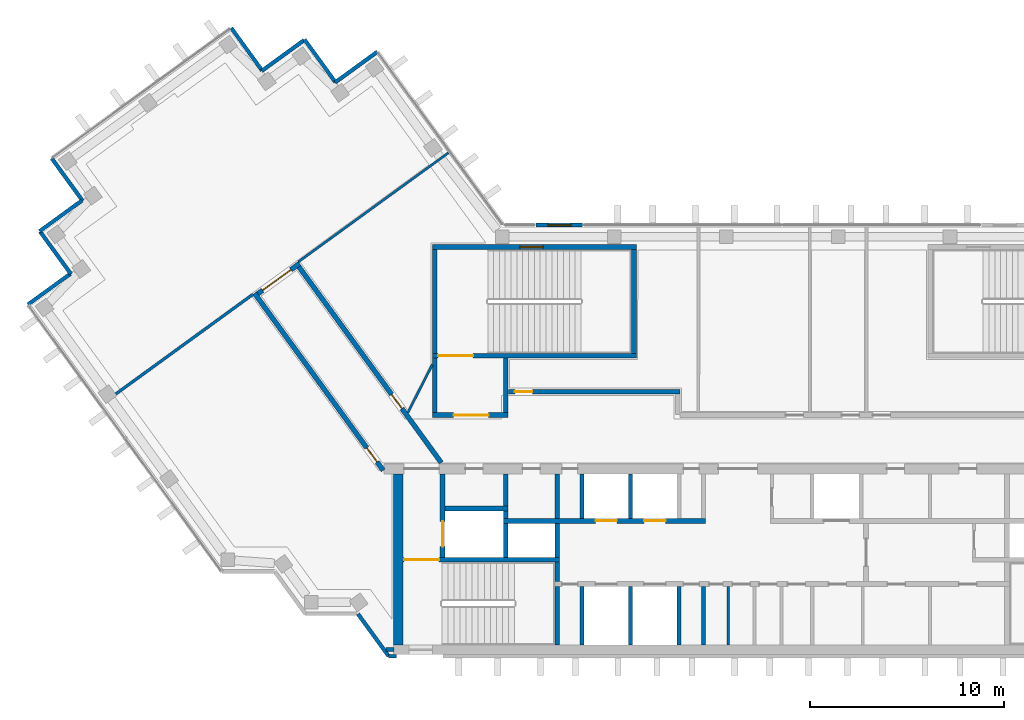
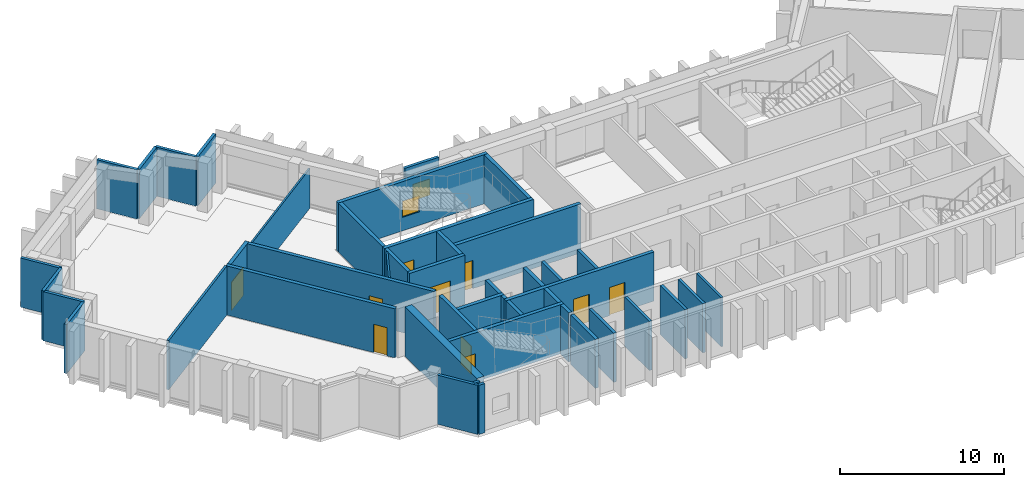
# One storey, part 5 of 10: 45 walls, 10 doors, 2 windows, 12 openings.
"""IFC4 building model written with IfcOpenShell, lengths in metres."""

from ifc_helpers import new_model, si_unit, direction, frame, frame_2d, origin, place, context, subcontext, project, spatial, rectangle, extrude, material, layer, layer_set, type_object, element, fill, save


model = new_model("IFC4")

# Units and contexts
model_context = context("Model", 3, precision=1e-05, world=origin(), true_north=direction((0.0, 1.0)))
body_context = subcontext(model_context, "Body", "Model", "MODEL_VIEW")
ifc_project = project(units=[si_unit("LENGTHUNIT", "METRE"), si_unit("AREAUNIT", "SQUARE_METRE"), si_unit("VOLUMEUNIT", "CUBIC_METRE"), si_unit("PLANEANGLEUNIT", "RADIAN"), si_unit("MASSUNIT", "GRAM", prefix="KILO")], contexts=[model_context])

# Site, building, storey
site_placement = place(None, origin())
site = spatial("IfcSite", under=ifc_project, at=site_placement, CompositionType="ELEMENT")
building_placement = place(site_placement, origin())
building = spatial("IfcBuilding", under=site, at=building_placement, Name="Quipu Civic Tower", CompositionType="ELEMENT")
storey_placement = place(building_placement, frame((0.0, 0.0, 253.0)))
storey = spatial("IfcBuildingStorey", under=building, at=storey_placement, Name="L59", CompositionType="ELEMENT", Elevation=253.0)

# Walls
ifc_material_1 = material(Name="Double gypsum plasterboard with mineral wool")
ifc_layer_1 = layer(ifc_material_1, 0.14990234375)
ifc_layer_set_1 = layer_set([ifc_layer_1], Name="Double gypsum plasterboard with mineral wool")
wall_type_1 = type_object("IfcWallType", Name="Acoustic partition 150 plasterboard", PredefinedType="PARTITIONING", material=ifc_layer_set_1)
wall_1_placement = place(storey_placement, frame((-34.291015625, 2.41015625, 0.0), z_axis=(0.0, 0.0, 1.0), x_axis=(0.809027940177, 0.587770186393, 0.0)))
element("IfcWall", 1, at=wall_1_placement, inside=storey, type_object=wall_type_1, Name="Partition P06", PredefinedType="PARTITIONING", context=body_context, shape_type="SweptSolid", body=[
    extrude(rectangle(XDim=8.71484375, YDim=0.14990234375, at=frame_2d((4.357421875, 0.0))), origin(), (0.0, 0.0, 1.0), 3.64990234375),
])
ifc_material_2 = material(Name="Concrete C70/85", Category="concrete")
ifc_layer_2 = layer(ifc_material_2, 0.25)
ifc_layer_set_2 = layer_set([ifc_layer_2], Name="Concrete C70/85")
wall_type_2 = type_object("IfcWallType", Name="Core wall 250", PredefinedType="SHEAR", material=ifc_layer_set_2)
wall_2_placement = place(storey_placement, frame((-11.574951171875, -10.5, 0.0), z_axis=(0.0, 0.0, 1.0), x_axis=(0.0, 1.0, 0.0)))
element("IfcWall", 2, at=wall_2_placement, inside=storey, type_object=wall_type_2, Name="Core wall", PredefinedType="SHEAR", context=body_context, shape_type="SweptSolid", body=[
    extrude(rectangle(XDim=3.0, YDim=0.25, at=frame_2d((1.5, 0.0))), origin(), (0.0, 0.0, 1.0), 3.64990234375),
])
wall_3_placement = place(storey_placement, frame((-11.574951171875, -7.25, 0.0), z_axis=(0.0, 0.0, 1.0), x_axis=(0.0, 1.0, 0.0)))
element("IfcWall", 3, at=wall_3_placement, inside=storey, type_object=wall_type_2, Name="Core wall", PredefinedType="SHEAR", context=body_context, shape_type="SweptSolid", body=[
    extrude(rectangle(XDim=1.0, YDim=0.25, at=frame_2d((0.5, 0.0))), origin(), (0.0, 0.0, 1.0), 3.64990234375),
])

# Wall, opening, door
wall_4_placement = place(storey_placement, frame((-11.449951171875, -6.125, 0.0), z_axis=(0.0, 0.0, 1.0), x_axis=(-1.0, 0.0, 0.0)))
wall_4 = element("IfcWall", 4, at=wall_4_placement, inside=storey, type_object=wall_type_2, Name="Core wall", PredefinedType="SHEAR", context=body_context, shape_type="SweptSolid", body=[
    extrude(rectangle(XDim=8.050048828125, YDim=0.25, at=frame_2d((4.02490234375, 0.0))), origin(), (0.0, 0.0, 1.0), 3.64990234375),
])
opening_1_placement = place(wall_4_placement, frame((6.199951171875, 0.0, 0.0)))
opening_1 = element("IfcOpeningElement", 5, at=opening_1_placement, cuts=wall_4, Name="Opening CD-10", PredefinedType="OPENING", context=body_context, shape_type="SweptSolid", body=[
    extrude(rectangle(XDim=1.800048828125, YDim=2.10009765625, at=frame_2d((0.89990234375, 1.050048828125))), frame((0.0, 0.135009765625, 0.0), z_axis=(0.0, -1.0, 0.0), x_axis=(1.0, 0.0, 0.0)), (0.0, 0.0, 1.0), 0.27001953125),
])
ifc_material_3 = material(Name="Fire rated steel door", Category="steel")
door_type_1 = type_object("IfcDoorType", Name="Fire door FD90 double 1800 x 2100", OperationType="NOTDEFINED", PredefinedType="DOOR", material=ifc_material_3)
door_1_placement = place(opening_1_placement, origin())
door_1 = element("IfcDoor", 6, at=door_1_placement, inside=storey, type_object=door_type_1, Name="Door", OperationType="DOUBLE_DOOR_SINGLE_SWING", OverallHeight=2.10009765625, OverallWidth=1.800048828125, PredefinedType="DOOR", context=body_context, shape_type="SweptSolid", body=[
    extrude(rectangle(XDim=1.800048828125, YDim=2.10009765625, at=frame_2d((0.89990234375, 1.050048828125))), frame((0.0, 0.02490234375, 0.0), z_axis=(0.0, -1.0, 0.0), x_axis=(1.0, 0.0, 0.0)), (0.0, 0.0, 1.0), 0.050048828125),
])
fill(opening_1, door_1)

wall_5_placement = place(storey_placement, frame((-17.47509765625, -6.0, 0.0), z_axis=(0.0, 0.0, 1.0), x_axis=(0.0, 1.0, 0.0)))
wall_5 = element("IfcWall", 7, at=wall_5_placement, inside=storey, type_object=wall_type_2, Name="Core wall", PredefinedType="SHEAR", context=body_context, shape_type="SweptSolid", body=[
    extrude(rectangle(XDim=4.300048828125, YDim=0.25, at=frame_2d((2.14990234375, 0.0))), origin(), (0.0, 0.0, 1.0), 3.64990234375),
])
opening_2_placement = place(wall_5_placement, frame((0.550048828125, 0.0, 0.0)))
opening_2 = element("IfcOpeningElement", 8, at=opening_2_placement, cuts=wall_5, Name="Opening LD-FF1", PredefinedType="OPENING", context=body_context, shape_type="SweptSolid", body=[
    extrude(rectangle(XDim=1.300048828125, YDim=2.10009765625, at=frame_2d((0.64990234375, 1.050048828125))), frame((0.0, 0.135009765625, 0.0), z_axis=(0.0, -1.0, 0.0), x_axis=(1.0, 0.0, 0.0)), (0.0, 0.0, 1.0), 0.27001953125),
])
ifc_material_4 = material(Name="Stainless steel", Category="steel")
door_type_2 = type_object("IfcDoorType", Name="Lift landing door 1300 x 2100", OperationType="DOUBLE_DOOR_SLIDING", PredefinedType="DOOR", material=ifc_material_4)
door_2_placement = place(opening_2_placement, origin())
door_2 = element("IfcDoor", 9, at=door_2_placement, inside=storey, type_object=door_type_2, Name="Landing door FF1", OperationType="DOUBLE_DOOR_SLIDING", OverallHeight=2.10009765625, OverallWidth=1.300048828125, PredefinedType="DOOR", context=body_context, shape_type="SweptSolid", body=[
    extrude(rectangle(XDim=1.300048828125, YDim=2.10009765625, at=frame_2d((0.64990234375, 1.050048828125))), frame((0.0, 0.02490234375, 0.0), z_axis=(0.0, -1.0, 0.0), x_axis=(1.0, 0.0, 0.0)), (0.0, 0.0, 1.0), 0.050048828125),
])
fill(opening_2, door_2)

# Walls
for number, where, z_axis, x_axis, name in (
    (10, (-14.22509765625, -6.0, 0.0), (0.0, 0.0, 1.0), (0.0, 1.0, 0.0), "Core wall"),
    (11, (-11.574951171875, -6.0, 0.0), (0.0, 0.0, 1.0), (0.0, 1.0, 0.0), "Core wall"),
):
    element("IfcWall", number, at=place(storey_placement, frame(where, z_axis=z_axis, x_axis=x_axis)), inside=storey, type_object=wall_type_2, Name=name, PredefinedType="SHEAR", context=body_context, shape_type="SweptSolid", body=[
        extrude(rectangle(XDim=1.75, YDim=0.25, at=frame_2d((0.875, 0.0))), origin(), (0.0, 0.0, 1.0), 3.64990234375),
    ])

# Wall, openings, doors
wall_6_placement = place(storey_placement, frame((-14.35009765625, -4.125, 0.0), z_axis=(0.0, 0.0, 1.0), x_axis=(1.0, 0.0, 0.0)))
wall_6 = element("IfcWall", 12, at=wall_6_placement, inside=storey, type_object=wall_type_2, Name="Core wall", PredefinedType="SHEAR", context=body_context, shape_type="SweptSolid", body=[
    extrude(rectangle(XDim=10.400146484375, YDim=0.25, at=frame_2d((5.2001953125, 0.0))), origin(), (0.0, 0.0, 1.0), 3.64990234375),
])
opening_3_placement = place(wall_6_placement, frame((4.75, 0.0, 0.0)))
opening_3 = element("IfcOpeningElement", 13, at=opening_3_placement, cuts=wall_6, Name="Opening LD-HL3", PredefinedType="OPENING", context=body_context, shape_type="SweptSolid", body=[
    extrude(rectangle(XDim=1.10009765625, YDim=2.10009765625, at=frame_2d((0.550048828125, 1.050048828125))), frame((0.0, 0.135009765625, 0.0), z_axis=(0.0, -1.0, 0.0), x_axis=(1.0, 0.0, 0.0)), (0.0, 0.0, 1.0), 0.27001953125),
])
opening_4_placement = place(wall_6_placement, frame((7.25, 0.0, 0.0)))
opening_4 = element("IfcOpeningElement", 14, at=opening_4_placement, cuts=wall_6, Name="Opening LD-HL4", PredefinedType="OPENING", context=body_context, shape_type="SweptSolid", body=[
    extrude(rectangle(XDim=1.10009765625, YDim=2.10009765625, at=frame_2d((0.550048828125, 1.050048828125))), frame((0.0, 0.135009765625, 0.0), z_axis=(0.0, -1.0, 0.0), x_axis=(1.0, 0.0, 0.0)), (0.0, 0.0, 1.0), 0.27001953125),
])
ifc_material_5 = material(Name="Stainless steel", Category="steel")
door_type_3 = type_object("IfcDoorType", Name="Lift landing door 1100 x 2100", OperationType="DOUBLE_DOOR_SLIDING", PredefinedType="DOOR", material=ifc_material_5)
door_3_placement = place(opening_3_placement, origin())
door_3 = element("IfcDoor", 15, at=door_3_placement, inside=storey, type_object=door_type_3, Name="Landing door HL3", OperationType="DOUBLE_DOOR_SLIDING", OverallHeight=2.10009765625, OverallWidth=1.10009765625, PredefinedType="DOOR", context=body_context, shape_type="SweptSolid", body=[
    extrude(rectangle(XDim=1.10009765625, YDim=2.10009765625, at=frame_2d((0.550048828125, 1.050048828125))), frame((0.0, 0.02490234375, 0.0), z_axis=(0.0, -1.0, 0.0), x_axis=(1.0, 0.0, 0.0)), (0.0, 0.0, 1.0), 0.050048828125),
])
fill(opening_3, door_3)
door_4_placement = place(opening_4_placement, origin())
door_4 = element("IfcDoor", 16, at=door_4_placement, inside=storey, type_object=door_type_3, Name="Landing door HL4", OperationType="DOUBLE_DOOR_SLIDING", OverallHeight=2.10009765625, OverallWidth=1.10009765625, PredefinedType="DOOR", context=body_context, shape_type="SweptSolid", body=[
    extrude(rectangle(XDim=1.10009765625, YDim=2.10009765625, at=frame_2d((0.550048828125, 1.050048828125))), frame((0.0, 0.02490234375, 0.0), z_axis=(0.0, -1.0, 0.0), x_axis=(1.0, 0.0, 0.0)), (0.0, 0.0, 1.0), 0.050048828125),
])
fill(opening_4, door_4)

# Walls
wall_7_placement = place(storey_placement, frame((-14.22509765625, -4.0, 0.0), z_axis=(0.0, 0.0, 1.0), x_axis=(0.0, 1.0, 0.0)))
element("IfcWall", 17, at=wall_7_placement, inside=storey, type_object=wall_type_2, Name="Core wall", PredefinedType="SHEAR", context=body_context, shape_type="SweptSolid", body=[
    extrude(rectangle(XDim=0.39990234375, YDim=0.25, at=frame_2d((0.199951171875, 0.0))), origin(), (0.0, 0.0, 1.0), 3.64990234375),
])
wall_8_placement = place(storey_placement, frame((-11.574951171875, -4.0, 0.0), z_axis=(0.0, 0.0, 1.0), x_axis=(0.0, 1.0, 0.0)))
element("IfcWall", 18, at=wall_8_placement, inside=storey, type_object=wall_type_2, Name="Core wall", PredefinedType="SHEAR", context=body_context, shape_type="SweptSolid", body=[
    extrude(rectangle(XDim=2.300048828125, YDim=0.25, at=frame_2d((1.14990234375, 0.0))), origin(), (0.0, 0.0, 1.0), 3.64990234375),
])
wall_9_placement = place(storey_placement, frame((-17.35009765625, -3.47509765625, 0.0), z_axis=(0.0, 0.0, 1.0), x_axis=(1.0, 0.0, 0.0)))
element("IfcWall", 19, at=wall_9_placement, inside=storey, type_object=wall_type_2, Name="Core wall", PredefinedType="SHEAR", context=body_context, shape_type="SweptSolid", body=[
    extrude(rectangle(XDim=3.25, YDim=0.25, at=frame_2d((1.625, 0.0))), origin(), (0.0, 0.0, 1.0), 3.64990234375),
])
wall_10_placement = place(storey_placement, frame((-14.22509765625, -3.35009765625, 0.0), z_axis=(0.0, 0.0, 1.0), x_axis=(0.0, 1.0, 0.0)))
element("IfcWall", 20, at=wall_10_placement, inside=storey, type_object=wall_type_2, Name="Core wall", PredefinedType="SHEAR", context=body_context, shape_type="SweptSolid", body=[
    extrude(rectangle(XDim=1.650146484375, YDim=0.25, at=frame_2d((0.8251953125, 0.0))), origin(), (0.0, 0.0, 1.0), 3.64990234375),
])

# Wall, opening, door
wall_11_placement = place(storey_placement, frame((-18.0, 1.324951171875, 0.0), z_axis=(0.0, 0.0, 1.0), x_axis=(1.0, 0.0, 0.0)))
wall_11 = element("IfcWall", 21, at=wall_11_placement, inside=storey, type_object=wall_type_2, Name="Core wall", PredefinedType="SHEAR", context=body_context, shape_type="SweptSolid", body=[
    extrude(rectangle(XDim=3.89990234375, YDim=0.25, at=frame_2d((1.949951171875, 0.0))), origin(), (0.0, 0.0, 1.0), 3.64990234375),
])
opening_5_placement = place(wall_11_placement, frame((1.10009765625, 0.0, 0.0)))
opening_5 = element("IfcOpeningElement", 22, at=opening_5_placement, cuts=wall_11, Name="Opening CD-27", PredefinedType="OPENING", context=body_context, shape_type="SweptSolid", body=[
    extrude(rectangle(XDim=1.800048828125, YDim=2.10009765625, at=frame_2d((0.89990234375, 1.050048828125))), frame((0.0, 0.135009765625, 0.0), z_axis=(0.0, -1.0, 0.0), x_axis=(1.0, 0.0, 0.0)), (0.0, 0.0, 1.0), 0.27001953125),
])
door_5_placement = place(opening_5_placement, origin())
door_5 = element("IfcDoor", 23, at=door_5_placement, inside=storey, type_object=door_type_1, Name="Lobby door", OperationType="DOUBLE_DOOR_SINGLE_SWING", OverallHeight=2.10009765625, OverallWidth=1.800048828125, PredefinedType="DOOR", context=body_context, shape_type="SweptSolid", body=[
    extrude(rectangle(XDim=1.800048828125, YDim=2.10009765625, at=frame_2d((0.89990234375, 1.050048828125))), frame((0.0, 0.02490234375, 0.0), z_axis=(0.0, -1.0, 0.0), x_axis=(1.0, 0.0, 0.0)), (0.0, 0.0, 1.0), 0.050048828125),
])
fill(opening_5, door_5)

# Walls
for number, where, z_axis, x_axis, name in (
    (24, (-17.875, 1.449951171875, 0.0), (0.0, 0.0, 1.0), (0.0, 1.0, 0.0), "Core wall"),
    (25, (-14.22509765625, 1.449951171875, 0.0), (0.0, 0.0, 1.0), (0.0, 1.0, 0.0), "Core wall"),
):
    element("IfcWall", number, at=place(storey_placement, frame(where, z_axis=z_axis, x_axis=x_axis)), inside=storey, type_object=wall_type_2, Name=name, PredefinedType="SHEAR", context=body_context, shape_type="SweptSolid", body=[
        extrude(rectangle(XDim=2.800048828125, YDim=0.25, at=frame_2d((1.39990234375, 0.0))), origin(), (0.0, 0.0, 1.0), 3.64990234375),
    ])

# Wall, opening, door
wall_12_placement = place(storey_placement, frame((-18.0, 4.375, 0.0), z_axis=(0.0, 0.0, 1.0), x_axis=(1.0, 0.0, 0.0)))
wall_12 = element("IfcWall", 26, at=wall_12_placement, inside=storey, type_object=wall_type_2, Name="Core wall", PredefinedType="SHEAR", context=body_context, shape_type="SweptSolid", body=[
    extrude(rectangle(XDim=10.5, YDim=0.25, at=frame_2d((5.25, 0.0))), origin(), (0.0, 0.0, 1.0), 3.64990234375),
])
opening_6_placement = place(wall_12_placement, frame((0.300048828125, 0.0, 0.0)))
opening_6 = element("IfcOpeningElement", 27, at=opening_6_placement, cuts=wall_12, Name="Opening CD-28", PredefinedType="OPENING", context=body_context, shape_type="SweptSolid", body=[
    extrude(rectangle(XDim=1.800048828125, YDim=2.10009765625, at=frame_2d((0.89990234375, 1.050048828125))), frame((0.0, 0.135009765625, 0.0), z_axis=(0.0, -1.0, 0.0), x_axis=(1.0, 0.0, 0.0)), (0.0, 0.0, 1.0), 0.27001953125),
])
door_6_placement = place(opening_6_placement, origin())
door_6 = element("IfcDoor", 28, at=door_6_placement, inside=storey, type_object=door_type_1, Name="Door", OperationType="DOUBLE_DOOR_SINGLE_SWING", OverallHeight=2.10009765625, OverallWidth=1.800048828125, PredefinedType="DOOR", context=body_context, shape_type="SweptSolid", body=[
    extrude(rectangle(XDim=1.800048828125, YDim=2.10009765625, at=frame_2d((0.89990234375, 1.050048828125))), frame((0.0, 0.02490234375, 0.0), z_axis=(0.0, -1.0, 0.0), x_axis=(1.0, 0.0, 0.0)), (0.0, 0.0, 1.0), 0.050048828125),
])
fill(opening_6, door_6)

# Walls
for number, where, z_axis, x_axis, name in (
    (29, (-17.875, 4.5, 0.0), (0.0, 0.0, 1.0), (0.0, 1.0, 0.0), "Core wall"),
    (30, (-7.625, 4.5, 0.0), (0.0, 0.0, 1.0), (0.0, 1.0, 0.0), "Core wall"),
):
    element("IfcWall", number, at=place(storey_placement, frame(where, z_axis=z_axis, x_axis=x_axis)), inside=storey, type_object=wall_type_2, Name=name, PredefinedType="SHEAR", context=body_context, shape_type="SweptSolid", body=[
        extrude(rectangle(XDim=5.35009765625, YDim=0.25, at=frame_2d((2.675048828125, 0.0))), origin(), (0.0, 0.0, 1.0), 3.64990234375),
    ])

# Wall, opening, window
wall_13_placement = place(storey_placement, frame((-18.0, 9.97509765625, 0.0), z_axis=(0.0, 0.0, 1.0), x_axis=(1.0, 0.0, 0.0)))
wall_13 = element("IfcWall", 31, at=wall_13_placement, inside=storey, type_object=wall_type_2, Name="Core wall", PredefinedType="SHEAR", context=body_context, shape_type="SweptSolid", body=[
    extrude(rectangle(XDim=10.5, YDim=0.25, at=frame_2d((5.25, 0.0))), origin(), (0.0, 0.0, 1.0), 3.64990234375),
])
opening_7_placement = place(wall_13_placement, frame((4.5, 0.0, 1.0)))
opening_7 = element("IfcOpeningElement", 32, at=opening_7_placement, cuts=wall_13, Name="Opening SV-3", PredefinedType="OPENING", context=body_context, shape_type="SweptSolid", body=[
    extrude(rectangle(XDim=1.199951171875, YDim=1.199951171875, at=frame_2d((0.60009765625, 0.60009765625))), frame((0.0, 0.135009765625, 0.0), z_axis=(0.0, -1.0, 0.0), x_axis=(1.0, 0.0, 0.0)), (0.0, 0.0, 1.0), 0.27001953125),
])
ifc_material_6 = material(Name="Aluminium louvre", Category="aluminium")
window_type_1 = type_object("IfcWindowType", Name="Stair ventilation louvre 1200 x 1200", PartitioningType="SINGLE_PANEL", PredefinedType="WINDOW", material=ifc_material_6)
window_1_placement = place(opening_7_placement, origin())
window_1 = element("IfcWindow", 33, at=window_1_placement, inside=storey, type_object=window_type_1, Name="Stair ventilation opening", OverallHeight=1.199951171875, OverallWidth=1.199951171875, PartitioningType="SINGLE_PANEL", PredefinedType="WINDOW", context=body_context, shape_type="SweptSolid", body=[
    extrude(rectangle(XDim=1.199951171875, YDim=1.199951171875, at=frame_2d((0.60009765625, 0.60009765625))), frame((0.0, 0.030029296875, 0.0), z_axis=(0.0, -1.0, 0.0), x_axis=(1.0, 0.0, 0.0)), (0.0, 0.0, 1.0), 0.06005859375),
])
fill(opening_7, window_1)

# Wall
ifc_material_7 = material(Name="Concrete C70/85", Category="concrete")
ifc_layer_3 = layer(ifc_material_7, 0.5)
ifc_layer_set_3 = layer_set([ifc_layer_3], Name="Concrete C70/85")
wall_type_3 = type_object("IfcWallType", Name="Core wall 500", PredefinedType="SHEAR", material=ifc_layer_set_3)
wall_14_placement = place(storey_placement, frame((-19.75, -10.5, 0.0), z_axis=(0.0, 0.0, 1.0), x_axis=(0.0, 1.0, 0.0)))
element("IfcWall", 34, at=wall_14_placement, inside=storey, type_object=wall_type_3, Name="Core wall", PredefinedType="SHEAR", context=body_context, shape_type="SweptSolid", body=[
    extrude(rectangle(XDim=8.800048828125, YDim=0.5, at=frame_2d((4.39990234375, 0.0))), origin(), (0.0, 0.0, 1.0), 3.64990234375),
])

# Wall, opening, door
ifc_material_8 = material(Name="Concrete C50/60", Category="concrete")
ifc_layer_4 = layer(ifc_material_8, 0.25)
ifc_layer_set_4 = layer_set([ifc_layer_4], Name="Concrete C50/60")
wall_type_4 = type_object("IfcWallType", Name="Corridor wall 250 concrete", PredefinedType="SOLIDWALL", material=ifc_layer_set_4)
wall_15_placement = place(storey_placement, frame((-20.531005859375, -1.5234375, 0.0), z_axis=(0.0, 0.0, 1.0), x_axis=(-0.587782646447, 0.809018887626, 0.0)))
wall_15 = element("IfcWall", 35, at=wall_15_placement, inside=storey, type_object=wall_type_4, Name="Corridor wall C04", PredefinedType="SOLIDWALL", context=body_context, shape_type="SweptSolid", body=[
    extrude(rectangle(XDim=11.270263671875, YDim=0.25, at=frame_2d((5.63525390625, 0.0))), origin(), (0.0, 0.0, 1.0), 3.64990234375),
])
opening_8_placement = place(wall_15_placement, frame((0.53271484375, 0.0, 0.0)))
opening_8 = element("IfcOpeningElement", 36, at=opening_8_placement, cuts=wall_15, Name="Opening D009", PredefinedType="OPENING", context=body_context, shape_type="SweptSolid", body=[
    extrude(rectangle(XDim=0.89990234375, YDim=2.10009765625, at=frame_2d((0.449951171875, 1.050048828125))), frame((0.0, 0.135009765625, 0.0), z_axis=(0.0, -1.0, 0.0), x_axis=(1.0, 0.0, 0.0)), (0.0, 0.0, 1.0), 0.27001953125),
])
ifc_material_9 = material(Name="Fire rated timber door set with metal frame", Category="wood")
door_type_4 = type_object("IfcDoorType", Name="Single door 900 x 2100 FD60", OperationType="NOTDEFINED", PredefinedType="DOOR", material=ifc_material_9)
door_7_placement = place(opening_8_placement, origin())
door_7 = element("IfcDoor", 37, at=door_7_placement, inside=storey, type_object=door_type_4, Name="Door D009", OperationType="SINGLE_SWING_LEFT", OverallHeight=2.10009765625, OverallWidth=0.89990234375, PredefinedType="DOOR", context=body_context, shape_type="SweptSolid", body=[
    extrude(rectangle(XDim=0.89990234375, YDim=2.10009765625, at=frame_2d((0.449951171875, 1.050048828125))), frame((0.0, 0.02490234375, 0.0), z_axis=(0.0, -1.0, 0.0), x_axis=(1.0, 0.0, 0.0)), (0.0, 0.0, 1.0), 0.050048828125),
])
fill(opening_8, door_7)

wall_16_placement = place(storey_placement, frame((-26.98095703125, 7.56689453125, 0.0), z_axis=(0.0, 0.0, 1.0), x_axis=(0.809038743598, 0.587755315891, 0.0)))
wall_16 = element("IfcWall", 38, at=wall_16_placement, inside=storey, type_object=wall_type_4, Name="Corridor wall C05", PredefinedType="SOLIDWALL", context=body_context, shape_type="SweptSolid", body=[
    extrude(rectangle(XDim=2.650146484375, YDim=0.25, at=frame_2d((1.3251953125, 0.0))), origin(), (0.0, 0.0, 1.0), 3.64990234375),
])
opening_9_placement = place(wall_16_placement, frame((0.299560546875, 0.0, 0.0)))
opening_9 = element("IfcOpeningElement", 39, at=opening_9_placement, cuts=wall_16, Name="Opening D010", PredefinedType="OPENING", context=body_context, shape_type="SweptSolid", body=[
    extrude(rectangle(XDim=1.800048828125, YDim=2.10009765625, at=frame_2d((0.89990234375, 1.050048828125))), frame((0.0, 0.135009765625, 0.0), z_axis=(0.0, -1.0, 0.0), x_axis=(1.0, 0.0, 0.0)), (0.0, 0.0, 1.0), 0.27001953125),
])
ifc_material_10 = material(Name="Fire rated timber door set with metal frame", Category="wood")
door_type_5 = type_object("IfcDoorType", Name="Double door 1800 x 2100 FD60", OperationType="DOUBLE_DOOR_SINGLE_SWING", PredefinedType="DOOR", material=ifc_material_10)
door_8_placement = place(opening_9_placement, origin())
door_8 = element("IfcDoor", 40, at=door_8_placement, inside=storey, type_object=door_type_5, Name="Door D010", OperationType="DOUBLE_DOOR_SINGLE_SWING", OverallHeight=2.10009765625, OverallWidth=1.800048828125, PredefinedType="DOOR", context=body_context, shape_type="SweptSolid", body=[
    extrude(rectangle(XDim=1.800048828125, YDim=2.10009765625, at=frame_2d((0.89990234375, 1.050048828125))), frame((0.0, 0.02490234375, 0.0), z_axis=(0.0, -1.0, 0.0), x_axis=(1.0, 0.0, 0.0)), (0.0, 0.0, 1.0), 0.050048828125),
])
fill(opening_9, door_8)

wall_17_placement = place(storey_placement, frame((-24.86474609375, 8.949951171875, 0.0), z_axis=(0.0, 0.0, 1.0), x_axis=(0.587791617212, -0.809012369952, 0.0)))
wall_17 = element("IfcWall", 41, at=wall_17_placement, inside=storey, type_object=wall_type_4, Name="Corridor wall C06", PredefinedType="SOLIDWALL", context=body_context, shape_type="SweptSolid", body=[
    extrude(rectangle(XDim=12.453125, YDim=0.25, at=frame_2d((6.2265625, 0.0))), origin(), (0.0, 0.0, 1.0), 3.64990234375),
])
opening_10_placement = place(wall_17_placement, frame((8.111572265625, 0.0, 0.0)))
opening_10 = element("IfcOpeningElement", 42, at=opening_10_placement, cuts=wall_17, Name="Opening D008", PredefinedType="OPENING", context=body_context, shape_type="SweptSolid", body=[
    extrude(rectangle(XDim=0.89990234375, YDim=2.10009765625, at=frame_2d((0.449951171875, 1.050048828125))), frame((0.0, 0.135009765625, 0.0), z_axis=(0.0, -1.0, 0.0), x_axis=(1.0, 0.0, 0.0)), (0.0, 0.0, 1.0), 0.27001953125),
])
door_9_placement = place(opening_10_placement, origin())
door_9 = element("IfcDoor", 43, at=door_9_placement, inside=storey, type_object=door_type_4, Name="Door D008", OperationType="SINGLE_SWING_RIGHT", OverallHeight=2.10009765625, OverallWidth=0.89990234375, PredefinedType="DOOR", context=body_context, shape_type="SweptSolid", body=[
    extrude(rectangle(XDim=0.89990234375, YDim=2.10009765625, at=frame_2d((0.449951171875, 1.050048828125))), frame((0.0, 0.02490234375, 0.0), z_axis=(0.0, -1.0, 0.0), x_axis=(1.0, 0.0, 0.0)), (0.0, 0.0, 1.0), 0.050048828125),
])
fill(opening_10, door_9)

wall_18_placement = place(storey_placement, frame((-14.090087890625, 2.52490234375, 0.0), z_axis=(0.0, 0.0, 1.0), x_axis=(1.0, 0.0, 0.0)))
wall_18 = element("IfcWall", 44, at=wall_18_placement, inside=storey, type_object=wall_type_4, Name="Corridor wall C07", PredefinedType="SOLIDWALL", context=body_context, shape_type="SweptSolid", body=[
    extrude(rectangle(XDim=8.840087890625, YDim=0.25, at=frame_2d((4.419921875, 0.0))), origin(), (0.0, 0.0, 1.0), 3.64990234375),
])
opening_11_placement = place(wall_18_placement, frame((0.340087890625, 0.0, 0.0)))
opening_11 = element("IfcOpeningElement", 45, at=opening_11_placement, cuts=wall_18, Name="Opening D004", PredefinedType="OPENING", context=body_context, shape_type="SweptSolid", body=[
    extrude(rectangle(XDim=0.89990234375, YDim=2.10009765625, at=frame_2d((0.449951171875, 1.050048828125))), frame((0.0, 0.135009765625, 0.0), z_axis=(0.0, -1.0, 0.0), x_axis=(1.0, 0.0, 0.0)), (0.0, 0.0, 1.0), 0.27001953125),
])
door_10_placement = place(opening_11_placement, origin())
door_10 = element("IfcDoor", 46, at=door_10_placement, inside=storey, type_object=door_type_4, Name="Door D004", OperationType="SINGLE_SWING_LEFT", OverallHeight=2.10009765625, OverallWidth=0.89990234375, PredefinedType="DOOR", context=body_context, shape_type="SweptSolid", body=[
    extrude(rectangle(XDim=0.89990234375, YDim=2.10009765625, at=frame_2d((0.449951171875, 1.050048828125))), frame((0.0, 0.02490234375, 0.0), z_axis=(0.0, -1.0, 0.0), x_axis=(1.0, 0.0, 0.0)), (0.0, 0.0, 1.0), 0.050048828125),
])
fill(opening_11, door_10)

# Walls
ifc_material_11 = material(Name="Gypsum plasterboard on light gauge framing")
ifc_layer_5 = layer(ifc_material_11, 0.1201171875)
ifc_layer_set_5 = layer_set([ifc_layer_5], Name="Gypsum plasterboard on light gauge framing")
wall_type_5 = type_object("IfcWallType", Name="Partition 120 plasterboard", PredefinedType="PARTITIONING", material=ifc_layer_set_5)
wall_19_placement = place(storey_placement, frame((-17.17236328125, 14.822509765625, 0.0), z_axis=(0.0, 0.0, 1.0), x_axis=(-0.809013490065, -0.587790075531, 0.0)))
element("IfcWall", 47, at=wall_19_placement, inside=storey, type_object=wall_type_5, Name="Partition P02", PredefinedType="PARTITIONING", context=body_context, shape_type="SweptSolid", body=[
    extrude(rectangle(XDim=9.54931640625, YDim=0.1201171875, at=frame_2d((4.774658203125, 0.0))), origin(), (0.0, 0.0, 1.0), 2.949951171875),
])
wall_20_placement = place(storey_placement, frame((-19.260986328125, 1.449951171875, 0.0), z_axis=(0.0, 0.0, 1.0), x_axis=(0.453950796792, 0.891026752736, 0.0)))
element("IfcWall", 48, at=wall_20_placement, inside=storey, type_object=wall_type_5, Name="Partition P09", PredefinedType="PARTITIONING", context=body_context, shape_type="SweptSolid", body=[
    extrude(rectangle(XDim=2.77783203125, YDim=0.1201171875, at=frame_2d((1.388916015625, 0.0))), origin(), (0.0, 0.0, 1.0), 3.64990234375),
])
ifc_material_12 = material(Name="Gypsum board partition")
ifc_layer_6 = layer(ifc_material_12, 0.14990234375)
ifc_layer_set_6 = layer_set([ifc_layer_6], Name="Gypsum board partition")
wall_type_6 = type_object("IfcWallType", Name="Partition 150", PredefinedType="PARTITIONING", material=ifc_layer_set_6)
wall_21_placement = place(storey_placement, frame((-2.77490234375, -10.5, 0.0), z_axis=(0.0, 0.0, 1.0), x_axis=(0.0, 1.0, 0.0)))
element("IfcWall", 49, at=wall_21_placement, inside=storey, type_object=wall_type_6, Name="Partition", PredefinedType="PARTITIONING", context=body_context, shape_type="SweptSolid", body=[
    extrude(rectangle(XDim=3.0, YDim=0.14990234375, at=frame_2d((1.5, 0.0))), origin(), (0.0, 0.0, 1.0), 3.64990234375),
])
ifc_material_13 = material(Name="Precast concrete C40/50", Category="concrete")
wall_type_7 = type_object("IfcWallType", Name="Precast cladding wall", PredefinedType="SOLIDWALL", material=ifc_material_13)
for number, where, z_axis, x_axis, name in (
    (50, (-36.031982421875, 12.36865234375, 0.0), (0.0, 0.0, 1.0), (-0.809033161865, -0.587762999008, 0.0), "Precast cladding wall L59 1"),
    (51, (-38.189208984375, 10.7646484375, 0.0), (0.0, 0.0, 1.0), (0.587822180636, -0.808990163075, 0.0), "Precast cladding wall L59 2"),
    (52, (-36.62939453125, 8.597412109375, 0.0), (0.0, 0.0, 1.0), (-0.809033161865, -0.587762999008, 0.0), "Precast cladding wall L59 3"),
):
    element("IfcWall", number, at=place(storey_placement, frame(where, z_axis=z_axis, x_axis=x_axis)), inside=storey, type_object=wall_type_7, Name=name, PredefinedType="SOLIDWALL", context=body_context, shape_type="SweptSolid", body=[
        extrude(rectangle(XDim=2.699951171875, YDim=0.199951171875, at=frame_2d((1.35009765625, 0.0))), origin(), (0.0, 0.0, 1.0), 3.64990234375),
    ])
wall_22_placement = place(storey_placement, frame((-21.8330078125, -8.90869140625, 0.0), z_axis=(0.0, 0.0, 1.0), x_axis=(0.587766567315, -0.809030569476, 0.0)))
element("IfcWall", 53, at=wall_22_placement, inside=storey, type_object=wall_type_7, Name="Precast cladding wall L59 5", PredefinedType="SOLIDWALL", context=body_context, shape_type="SweptSolid", body=[
    extrude(rectangle(XDim=2.687744140625, YDim=0.199951171875, at=frame_2d((1.34375, 0.0))), origin(), (0.0, 0.0, 1.0), 3.64990234375),
])
wall_23_placement = place(storey_placement, frame((-20.255859375, -11.087890625, 0.0), z_axis=(0.0, 0.0, 1.0), x_axis=(1.0, 0.0, 0.0)))
element("IfcWall", 54, at=wall_23_placement, inside=storey, type_object=wall_type_7, Name="Precast cladding wall L59 6", PredefinedType="SOLIDWALL", context=body_context, shape_type="SweptSolid", body=[
    extrude(rectangle(XDim=0.40576171875, YDim=0.199951171875, at=frame_2d((0.202880859375, 0.0))), origin(), (0.0, 0.0, 1.0), 3.64990234375),
])

# Wall, opening, window
wall_24_placement = place(storey_placement, frame((-10.263427734375, 11.10009765625, 0.0), z_axis=(0.0, 0.0, 1.0), x_axis=(-1.0, 0.0, 0.0)))
wall_24 = element("IfcWall", 55, at=wall_24_placement, inside=storey, type_object=wall_type_7, Name="Vent surround SF-L59-1", PredefinedType="SOLIDWALL", context=body_context, shape_type="SweptSolid", body=[
    extrude(rectangle(XDim=2.3916015625, YDim=0.199951171875, at=frame_2d((1.19580078125, 0.0))), origin(), (0.0, 0.0, 1.0), 3.64990234375),
])
opening_12_placement = place(wall_24_placement, frame((0.595703125, 0.0, 1.0)))
opening_12 = element("IfcOpeningElement", 56, at=opening_12_placement, cuts=wall_24, Name="Opening SF-L59-1", PredefinedType="OPENING", context=body_context, shape_type="SweptSolid", body=[
    extrude(rectangle(XDim=1.199951171875, YDim=1.199951171875, at=frame_2d((0.60009765625, 0.60009765625))), frame((0.0, 0.10986328125, 0.0), z_axis=(0.0, -1.0, 0.0), x_axis=(1.0, 0.0, 0.0)), (0.0, 0.0, 1.0), 0.219970703125),
])
ifc_material_14 = material(Name="Anodised aluminium louvre", Category="aluminium")
window_type_2 = type_object("IfcWindowType", Name="Stair vent louvre window P3", PartitioningType="SINGLE_PANEL", PredefinedType="WINDOW", material=ifc_material_14)
window_2_placement = place(opening_12_placement, origin())
window_2 = element("IfcWindow", 57, at=window_2_placement, inside=storey, type_object=window_type_2, Name="Stair vent louvre SF-L59-1", OverallHeight=1.199951171875, OverallWidth=1.199951171875, PartitioningType="SINGLE_PANEL", PredefinedType="WINDOW", context=body_context, shape_type="SweptSolid", body=[
    extrude(rectangle(XDim=1.199951171875, YDim=1.199951171875, at=frame_2d((0.60009765625, 0.60009765625))), frame((0.0, 0.030029296875, 0.0), z_axis=(0.0, -1.0, 0.0), x_axis=(1.0, 0.0, 0.0)), (0.0, 0.0, 1.0), 0.06005859375),
])
fill(opening_12, window_2)

# Walls
for number, where, z_axis, x_axis, name in (
    (58, (-20.828857421875, 20.025390625, 0.0), (0.0, 0.0, 1.0), (-0.808990163075, -0.587822180636, 0.0), "Precast cladding wall L59 30"),
    (59, (-22.996337890625, 18.465576171875, 0.0), (0.0, 0.0, 1.0), (-0.587762999008, 0.809033161865, 0.0), "Precast cladding wall L59 31"),
):
    element("IfcWall", number, at=place(storey_placement, frame(where, z_axis=z_axis, x_axis=x_axis)), inside=storey, type_object=wall_type_7, Name=name, PredefinedType="SOLIDWALL", context=body_context, shape_type="SweptSolid", body=[
        extrude(rectangle(XDim=2.699951171875, YDim=0.199951171875, at=frame_2d((1.35009765625, 0.0))), origin(), (0.0, 0.0, 1.0), 3.64990234375),
    ])
for number, where, z_axis, x_axis, name in (
    (60, (-24.60009765625, 20.62255859375, 0.0), (0.0, 0.0, 1.0), (-0.809064397168, -0.587720002413, 0.0), "Precast cladding wall L59 32"),
    (61, (-26.767578125, 19.062744140625, 0.0), (0.0, 0.0, 1.0), (-0.587720002413, 0.809064397168, 0.0), "Precast cladding wall L59 33"),
):
    element("IfcWall", number, at=place(storey_placement, frame(where, z_axis=z_axis, x_axis=x_axis)), inside=storey, type_object=wall_type_7, Name=name, PredefinedType="SOLIDWALL", context=body_context, shape_type="SweptSolid", body=[
        extrude(rectangle(XDim=2.7001953125, YDim=0.199951171875, at=frame_2d((1.35009765625, 0.0))), origin(), (0.0, 0.0, 1.0), 3.64990234375),
    ])
wall_25_placement = place(storey_placement, frame((-37.591796875, 14.535888671875, 0.0), z_axis=(0.0, 0.0, 1.0), x_axis=(0.587762999008, -0.809033161865, 0.0)))
element("IfcWall", 62, at=wall_25_placement, inside=storey, type_object=wall_type_7, Name="Precast cladding wall L59 35", PredefinedType="SOLIDWALL", context=body_context, shape_type="SweptSolid", body=[
    extrude(rectangle(XDim=2.699951171875, YDim=0.199951171875, at=frame_2d((1.35009765625, 0.0))), origin(), (0.0, 0.0, 1.0), 3.64990234375),
])
wall_26_placement = place(storey_placement, frame((-19.97998046875, -10.75, 0.0), z_axis=(0.0, 0.0, 1.0), x_axis=(-1.0, 0.0, 0.0)))
element("IfcWall", 63, at=wall_26_placement, inside=storey, type_object=wall_type_7, Name="Precast cladding return L59 W", PredefinedType="SOLIDWALL", context=body_context, shape_type="SweptSolid", body=[
    extrude(rectangle(XDim=0.41650390625, YDim=0.199951171875, at=frame_2d((0.208251953125, 0.0))), origin(), (0.0, 0.0, 1.0), 3.64990234375),
])
ifc_material_15 = material(Name="Concrete C40/50", Category="concrete")
ifc_layer_7 = layer(ifc_material_15, 0.199951171875)
ifc_layer_set_7 = layer_set([ifc_layer_7], Name="Concrete C40/50")
wall_type_8 = type_object("IfcWallType", Name="Shaft wall 200", PredefinedType="SOLIDWALL", material=ifc_layer_set_7)
for number, where, z_axis, x_axis, name in (
    (64, (-10.300048828125, -10.5, 0.0), (0.0, 0.0, 1.0), (0.0, 1.0, 0.0), "Shaft wall"),
    (65, (-7.800048828125, -10.5, 0.0), (0.0, 0.0, 1.0), (0.0, 1.0, 0.0), "Shaft wall"),
    (66, (-5.300048828125, -10.5, 0.0), (0.0, 0.0, 1.0), (0.0, 1.0, 0.0), "Shaft wall"),
    (67, (-4.050048828125, -10.5, 0.0), (0.0, 0.0, 1.0), (0.0, 1.0, 0.0), "Shaft wall"),
):
    element("IfcWall", number, at=place(storey_placement, frame(where, z_axis=z_axis, x_axis=x_axis)), inside=storey, type_object=wall_type_8, Name=name, PredefinedType="SOLIDWALL", context=body_context, shape_type="SweptSolid", body=[
        extrude(rectangle(XDim=3.0, YDim=0.199951171875, at=frame_2d((1.5, 0.0))), origin(), (0.0, 0.0, 1.0), 3.64990234375),
    ])
for number, where, z_axis, x_axis, name in (
    (68, (-10.300048828125, -4.0, 0.0), (0.0, 0.0, 1.0), (0.0, 1.0, 0.0), "Shaft wall"),
    (69, (-7.800048828125, -4.0, 0.0), (0.0, 0.0, 1.0), (0.0, 1.0, 0.0), "Shaft wall"),
):
    element("IfcWall", number, at=place(storey_placement, frame(where, z_axis=z_axis, x_axis=x_axis)), inside=storey, type_object=wall_type_8, Name=name, PredefinedType="SOLIDWALL", context=body_context, shape_type="SweptSolid", body=[
        extrude(rectangle(XDim=2.300048828125, YDim=0.199951171875, at=frame_2d((1.14990234375, 0.0))), origin(), (0.0, 0.0, 1.0), 3.64990234375),
    ])

save(model, "model.ifc")
